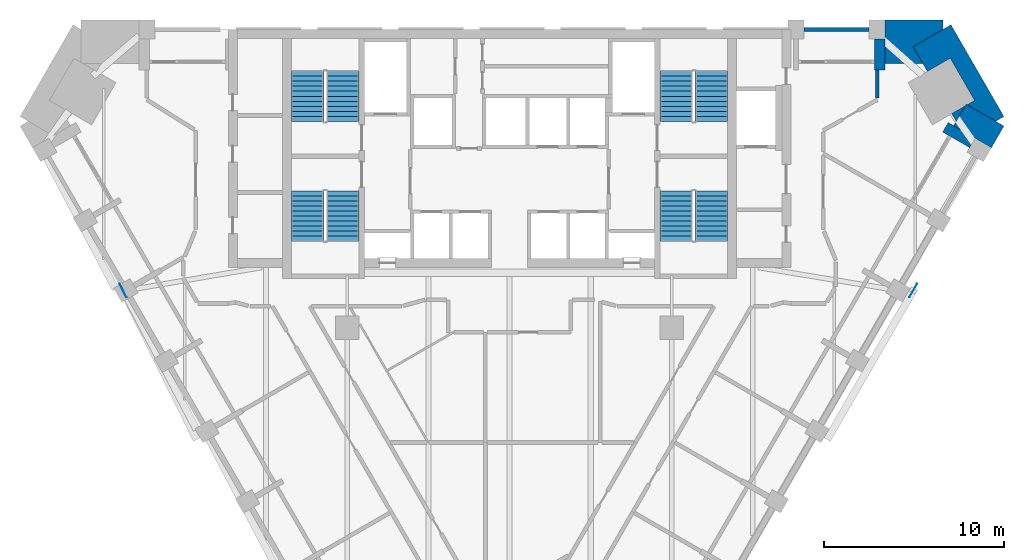
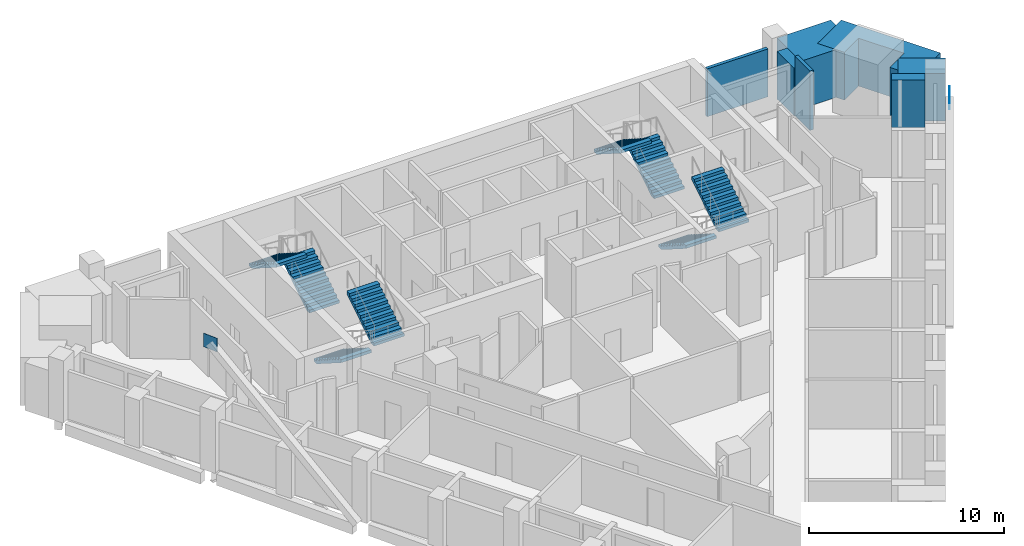
# One storey, part 8 of 9: 8 stair flights, 8 walls, 2 discrete accessories, 4 elements without a shape of their own.
"""IFC4 building model written with IfcOpenShell, lengths in metres."""

import ifcopenshell
import ifcopenshell.guid

model = None  # the IFC model being written
_history = None  # IfcOwnerHistory: only IFC2X3 demands one
_inside = {}  # id of a spatial element -> (the spatial element, [elements in it])
_under = {}  # id of a project, library or spatial element -> (it, [spatial elements below it])
_declared = {}  # id of a project -> (the project, [libraries it declares])
_typed = {}  # id of a type object -> (the type object, [elements of that type])
_made_of = {}  # id of a material, layer set ... -> (it, [elements and type objects made of it])


def new_model(schema):
    """Start an empty IFC model of exactly this schema.

    Asked for "IFC4X3", IfcOpenShell would pick the latest addendum, in which some entities
    have other attributes; the version numbers below select the first issue.
    IFC2X3 requires an IfcOwnerHistory on every rooted entity: one is made here for all.
    """
    global model, _history
    if schema == "IFC4X3":
        model = ifcopenshell.file(schema_version=(4, 3, 0, 0))
    else:
        model = ifcopenshell.file(schema=schema)
    _inside.clear()
    _under.clear()
    _declared.clear()
    _typed.clear()
    _made_of.clear()
    _history = None
    if model.schema == "IFC2X3":
        org = make("IfcOrganization", Name="unknown")
        user = make(
            "IfcPersonAndOrganization",
            ThePerson=make("IfcPerson", FamilyName="unknown"),
            TheOrganization=org,
        )
        app = make(
            "IfcApplication",
            ApplicationDeveloper=org,
            Version="unknown",
            ApplicationFullName="unknown",
            ApplicationIdentifier="unknown",
        )
        _history = make(
            "IfcOwnerHistory",
            OwningUser=user,
            OwningApplication=app,
            ChangeAction="ADDED",
            CreationDate=0,
        )
    return model


def make(cls, **values):
    """One entity of the class cls with the attributes given. An attribute that is None is left unset."""
    return model.create_entity(
        cls, **{name: value for name, value in values.items() if value is not None}
    )


def rooted(cls, **values):
    """An entity with a GlobalId (a new one), such as an element, a storey or a relation."""
    return make(cls, GlobalId=ifcopenshell.guid.new(), OwnerHistory=_history, **values)


def si_unit(unit_type, name, prefix=None):
    """IfcSIUnit, for example si_unit("LENGTHUNIT", "METRE", prefix="MILLI")."""
    return make("IfcSIUnit", UnitType=unit_type, Prefix=prefix, Name=name)


def assignment(units):
    """IfcUnitAssignment: the units of a project."""
    return None if units is None else make("IfcUnitAssignment", Units=units)


def point(xyz):
    """IfcCartesianPoint."""
    return None if xyz is None else make("IfcCartesianPoint", Coordinates=xyz)


def direction(xyz):
    """IfcDirection."""
    return None if xyz is None else make("IfcDirection", DirectionRatios=xyz)


def frame(location, z_axis=None, x_axis=None):
    """IfcAxis2Placement3D, a coordinate frame: its origin and axes. An axis left out is left unset."""
    return make(
        "IfcAxis2Placement3D",
        Location=point(location),
        Axis=direction(z_axis),
        RefDirection=direction(x_axis),
    )


def frame_2d(location, x_axis=None):
    """IfcAxis2Placement2D, a coordinate frame in the plane: its origin and x axis."""
    return make(
        "IfcAxis2Placement2D", Location=point(location), RefDirection=direction(x_axis)
    )


def origin():
    """The frame at (0, 0, 0) with its axes left unset."""
    return frame((0.0, 0.0, 0.0))


def origin_2d():
    """The frame at (0, 0) in the plane with its x axis left unset."""
    return frame_2d((0.0, 0.0))


def place(relative_to, where):
    """IfcLocalPlacement: puts the frame where relative to a parent placement (None: the world)."""
    return make(
        "IfcLocalPlacement", PlacementRelTo=relative_to, RelativePlacement=where
    )


def context(
    kind, dimensions, precision=None, world=None, true_north=None, identifier=None
):
    """IfcGeometricRepresentationContext, for example the 3D "Model" context."""
    return make(
        "IfcGeometricRepresentationContext",
        ContextIdentifier=identifier,
        ContextType=kind,
        CoordinateSpaceDimension=dimensions,
        Precision=precision,
        WorldCoordinateSystem=world,
        TrueNorth=true_north,
    )


def subcontext(parent, identifier, kind, view, scale=None):
    """IfcGeometricRepresentationSubContext, for example "Body" below "Model"."""
    return make(
        "IfcGeometricRepresentationSubContext",
        ContextIdentifier=identifier,
        ContextType=kind,
        ParentContext=parent,
        TargetScale=scale,
        TargetView=view,
    )


def project(units=None, contexts=None):
    """IfcProject with its units and contexts."""
    return rooted(
        "IfcProject",
        Name="project",
        RepresentationContexts=contexts,
        UnitsInContext=assignment(units),
    )


def spatial(cls, under=None, at=None, **own):
    """A site, building, storey or space (cls), placed at a placement, below another one or the project."""
    s = rooted(cls, ObjectPlacement=at, **own)
    if under is not None:
        _under.setdefault(under.id(), (under, []))[1].append(s)
    return s


def polyline(points):
    """IfcPolyline through the points."""
    return make("IfcPolyline", Points=[point(p) for p in points])


def profile(cls, at=None, kind="AREA", **sizes):
    """A parametric profile (cls). Its sizes go by their IFC names, for example OverallWidth=200.0."""
    return make(cls, ProfileType=kind, Position=at, **sizes)


def rectangle(**sizes):
    """IfcRectangleProfileDef."""
    return profile("IfcRectangleProfileDef", **sizes)


def outline(outer, holes=None, kind="AREA"):
    """IfcArbitraryClosedProfileDef: a profile drawn as a closed curve; with holes, ...WithVoids."""
    if holes is None:
        return make("IfcArbitraryClosedProfileDef", ProfileType=kind, OuterCurve=outer)
    return make(
        "IfcArbitraryProfileDefWithVoids",
        ProfileType=kind,
        OuterCurve=outer,
        InnerCurves=holes,
    )


def extrude(swept, where, along, depth):
    """IfcExtrudedAreaSolid: the profile swept, set in the frame where, extruded along a direction by depth."""
    return make(
        "IfcExtrudedAreaSolid",
        SweptArea=swept,
        Position=where,
        ExtrudedDirection=direction(along),
        Depth=depth,
    )


def faces_of(points, faces, orient=None, outer=None):
    """IfcFace entities. A face is a list of loops; a loop is a list of indices into points, from 0.

    orient and outer hold one flag for each loop. By default every Orientation is true, the
    first loop of a face is its IfcFaceOuterBound and the others are IfcFaceBound.
    """
    made = []
    for i, loops in enumerate(faces):
        bounds = []
        for j, loop in enumerate(loops):
            is_outer = j == 0 if outer is None else outer[i][j]
            bounds.append(
                make(
                    "IfcFaceOuterBound" if is_outer else "IfcFaceBound",
                    Bound=make("IfcPolyLoop", Polygon=[points[k] for k in loop]),
                    Orientation=True if orient is None else orient[i][j],
                )
            )
        made.append(make("IfcFace", Bounds=bounds))
    return made


def faceted_brep(points, faces, orient=None, outer=None, voids=None):
    """IfcFacetedBrep: a solid bounded by flat faces; with voids (closed shells), ...WithVoids."""
    shared = [point(p) for p in points]
    hull = make("IfcClosedShell", CfsFaces=faces_of(shared, faces, orient, outer))
    if voids is None:
        return make("IfcFacetedBrep", Outer=hull)
    return make(
        "IfcFacetedBrepWithVoids",
        Outer=hull,
        Voids=[
            make(cls, CfsFaces=faces_of(shared, fs, o, b)) for cls, fs, o, b in voids
        ],
    )


def shape(context_of_items, identifier, shape_type, items):
    """IfcShapeRepresentation: the items that make up one representation, for example the "Body"."""
    return make(
        "IfcShapeRepresentation",
        ContextOfItems=context_of_items,
        RepresentationIdentifier=identifier,
        RepresentationType=shape_type,
        Items=items,
    )


def source(mapping_origin, context_of_items, identifier, shape_type, items):
    """IfcRepresentationMap: a shape defined once, which mapped items show again and again."""
    return make(
        "IfcRepresentationMap",
        MappingOrigin=mapping_origin,
        MappedRepresentation=shape(context_of_items, identifier, shape_type, items),
    )


def transform(
    local_origin,
    x_axis=None,
    y_axis=None,
    z_axis=None,
    scale=None,
    scale2=None,
    scale3=None,
    uniform=True,
):
    """IfcCartesianTransformationOperator3D, or its non-uniform kind. x_axis, y_axis, z_axis: its Axis1, 2, 3."""
    if uniform:
        return make(
            "IfcCartesianTransformationOperator3D",
            Axis1=direction(x_axis),
            Axis2=direction(y_axis),
            LocalOrigin=point(local_origin),
            Scale=scale,
            Axis3=direction(z_axis),
        )
    return make(
        "IfcCartesianTransformationOperator3DnonUniform",
        Axis1=direction(x_axis),
        Axis2=direction(y_axis),
        LocalOrigin=point(local_origin),
        Scale=scale,
        Axis3=direction(z_axis),
        Scale2=scale2,
        Scale3=scale3,
    )


def mapped(mapping_source, mapping_target):
    """IfcMappedItem: shows the shape of a source again, moved by a transform."""
    return make(
        "IfcMappedItem", MappingSource=mapping_source, MappingTarget=mapping_target
    )


def material(Name=None, Category=None):
    """IfcMaterial."""
    return make("IfcMaterial", Name=Name, Category=Category)


def layer(
    of_material, thickness, ventilated=None, Name=None, Category=None, Priority=None
):
    """IfcMaterialLayer: one layer of a wall or slab, of a material (None: an air gap)."""
    return make(
        "IfcMaterialLayer",
        Material=of_material,
        LayerThickness=thickness,
        IsVentilated=ventilated,
        Name=Name,
        Category=Category,
        Priority=Priority,
    )


def layer_set(layers, Name=None):
    """IfcMaterialLayerSet."""
    return make("IfcMaterialLayerSet", MaterialLayers=layers, LayerSetName=Name)


def made_of(thing, what):
    """Note that an element or type object is made of a material, layer set ...; save() writes the relation."""
    if what is not None:
        _made_of.setdefault(what.id(), (what, []))[1].append(thing)
    return thing


def type_object(cls, material=None, **own):
    """A type object (cls), such as IfcWallType, which elements share."""
    return made_of(rooted(cls, **own), material)


def element(
    cls,
    number,
    at=None,
    inside=None,
    cuts=None,
    type_object=None,
    material=None,
    context=None,
    identifier="Body",
    shape_type=None,
    held_by="IfcProductDefinitionShape",
    body=None,
    shapes=None,
    **own,
):
    """One element of the class cls, such as IfcWall. Its Tag is "e" and its number.

    at: its placement. inside: the storey or other place that contains it. cuts: it is an
    opening in that element (IfcRelVoidsElement). A single representation is given by context,
    identifier, shape_type and body (its items); several are given by shapes. held_by: the class
    of the entity that holds the representations. save() writes the other relations.
    """
    e = rooted(cls, Tag="e%d" % number, ObjectPlacement=at, **own)
    if body is not None:
        shapes = [shape(context, identifier, shape_type, body)]
    if shapes is not None:
        e.Representation = make(held_by, Representations=shapes)
    if inside is not None:
        _inside.setdefault(inside.id(), (inside, []))[1].append(e)
    if cuts is not None:
        rooted(
            "IfcRelVoidsElement", RelatingBuildingElement=cuts, RelatedOpeningElement=e
        )
    if type_object is not None:
        _typed.setdefault(type_object.id(), (type_object, []))[1].append(e)
    return made_of(e, material)


def aggregate(whole, parts):
    """IfcRelAggregates: a whole, such as a stair, and the parts it consists of."""
    return rooted("IfcRelAggregates", RelatingObject=whole, RelatedObjects=parts)


def save(model, path):
    """Write the relations noted so far, then the file.

    IfcRelAggregates (storeys below a building ...), IfcRelContainedInSpatialStructure (elements
    in a storey), IfcRelDefinesByType, IfcRelAssociatesMaterial and IfcRelDeclares: one each for
    every whole, place, type object, material and project.
    """
    for whole, parts in _under.values():
        aggregate(whole, parts)
    for where, things in _inside.values():
        rooted(
            "IfcRelContainedInSpatialStructure",
            RelatedElements=things,
            RelatingStructure=where,
        )
    for kind, things in _typed.values():
        rooted("IfcRelDefinesByType", RelatedObjects=things, RelatingType=kind)
    for what, things in _made_of.values():
        rooted("IfcRelAssociatesMaterial", RelatedObjects=things, RelatingMaterial=what)
    for by, libraries in _declared.values():
        rooted("IfcRelDeclares", RelatingContext=by, RelatedDefinitions=libraries)
    model.write(path)


model = new_model("IFC4")

# Units and contexts
model_context = context("Model", 3, precision=1e-05, world=origin(), true_north=direction((0.0, 1.0)))
body_context = subcontext(model_context, "Body", "Model", "MODEL_VIEW")
ifc_project = project(units=[si_unit("LENGTHUNIT", "METRE"), si_unit("AREAUNIT", "SQUARE_METRE"), si_unit("VOLUMEUNIT", "CUBIC_METRE"), si_unit("PLANEANGLEUNIT", "RADIAN"), si_unit("MASSUNIT", "GRAM", prefix="KILO")], contexts=[model_context])

# Site, building, storey
site_placement = place(None, origin())
site = spatial("IfcSite", under=ifc_project, at=site_placement, CompositionType="ELEMENT")
building_placement = place(site_placement, origin())
building = spatial("IfcBuilding", under=site, at=building_placement, Name="Calabash Gate Tower", CompositionType="ELEMENT")
storey_placement = place(building_placement, frame((0.0, 0.0, 160.199951171875)))
storey = spatial("IfcBuildingStorey", under=building, at=storey_placement, Name="L37", CompositionType="ELEMENT", Elevation=160.199951171875)

# Walls
ifc_material_1 = material(Name="Terracotta brick masonry, exposed face", Category="masonry")
ifc_layer_1 = layer(ifc_material_1, 2.425048828125)
ifc_layer_set_1 = layer_set([ifc_layer_1], Name="Brick corner mass wall 2425")
wall_type_1 = type_object("IfcWallType", Name="Brick corner mass wall 2425", PredefinedType="SOLIDWALL", material=ifc_layer_set_1)
wall_1_placement = place(storey_placement, frame((27.079833984375, 13.097900390625, 0.0), z_axis=(0.0, 0.0, 1.0), x_axis=(-0.866041403502, 0.499972286653, 0.0)))
element("IfcWall", 1, at=wall_1_placement, inside=storey, type_object=wall_type_1, Name="Brick corner pier S10 3a", PredefinedType="SOLIDWALL", context=body_context, shape_type="SweptSolid", body=[
    extrude(rectangle(XDim=2.425048828125, YDim=1.383544921875, at=frame_2d((1.21240234375, 0.0))), origin(), (0.0, 0.0, 1.0), 3.0),
])
wall_2_placement = place(storey_placement, origin())
element("IfcWall", 2, at=wall_2_placement, inside=storey, type_object=wall_type_1, Name="Brick corner pier S10 3ba", PredefinedType="SOLIDWALL", context=body_context, shape_type="SweptSolid", body=[
    extrude(outline(polyline([(24.5302734375, 14.38671875), (24.777099609375, 13.95947265625), (25.2705078125, 14.814208984375), (24.5302734375, 14.38671875)])), origin(), (0.0, 0.0, 1.0), 3.0),
])
wall_3_placement = place(storey_placement, origin())
element("IfcWall", 3, at=wall_3_placement, inside=storey, type_object=wall_type_1, Name="Brick corner pier S10 3bb", PredefinedType="SOLIDWALL", context=body_context, shape_type="SweptSolid", body=[
    extrude(outline(polyline([(23.180419921875, 16.72509765625), (24.443115234375, 17.4541015625), (25.793212890625, 15.115966796875), (25.380615234375, 14.877685546875), (26.970947265625, 13.95947265625), (27.42578125, 14.221923828125), (24.485107421875, 19.31494140625), (22.385009765625, 18.1025390625), (23.180419921875, 16.72509765625)])), origin(), (0.0, 0.0, 1.0), 3.0),
])
wall_4_placement = place(storey_placement, origin())
element("IfcWall", 4, at=wall_4_placement, inside=storey, type_object=wall_type_1, Name="Brick corner pier S10 3c", PredefinedType="SOLIDWALL", context=body_context, shape_type="SweptSolid", body=[
    extrude(outline(polyline([(20.83740234375, 19.57763671875), (20.83740234375, 17.152587890625), (22.93359375, 17.152587890625), (22.385009765625, 18.1025390625), (24.030517578125, 19.052490234375), (24.030517578125, 19.57763671875), (20.83740234375, 19.57763671875)])), origin(), (0.0, 0.0, 1.0), 3.0),
])
ifc_material_2 = material(Name="Terracotta brick masonry, exposed face", Category="masonry")
ifc_layer_2 = layer(ifc_material_2, 0.300048828125)
ifc_layer_set_2 = layer_set([ifc_layer_2], Name="Brick loggia cheek wall 300")
wall_type_2 = type_object("IfcWallType", Name="Brick loggia cheek wall 300", PredefinedType="SOLIDWALL", material=ifc_layer_set_2)
wall_5_placement = place(storey_placement, frame((25.67431640625, 12.76416015625, 0.0), z_axis=(0.0, 0.0, 1.0), x_axis=(-0.866039436866, 0.499975693202, 0.0)))
element("IfcWall", 5, at=wall_5_placement, inside=storey, type_object=wall_type_2, Name="Loggia cheek S10 SE4.8", PredefinedType="SOLIDWALL", context=body_context, shape_type="SweptSolid", body=[
    extrude(rectangle(XDim=1.724609375, YDim=0.60009765625, at=frame_2d((0.8623046875, 0.0))), origin(), (0.0, 0.0, 1.0), 3.0),
])
wall_6_placement = place(storey_placement, origin())
element("IfcWall", 6, at=wall_6_placement, inside=storey, type_object=wall_type_2, Name="Loggia cheek S10 N6.0", PredefinedType="SOLIDWALL", context=body_context, shape_type="SweptSolid", body=[
    extrude(outline(polyline([(20.83740234375, 16.802490234375), (20.83740234375, 18.527587890625), (20.237548828125, 18.527587890625), (20.237548828125, 16.802490234375), (20.83740234375, 16.802490234375)])), origin(), (0.0, 0.0, 1.0), 3.0),
])
ifc_material_3 = material(Name="Gypsum board on steel studs, mineral wool", Category="steel")
ifc_layer_3 = layer(ifc_material_3, 0.199951171875)
ifc_layer_set_3 = layer_set([ifc_layer_3], Name="Partition 200 gypsum board EI 60")
wall_type_3 = type_object("IfcWallType", Name="Partition 200 gypsum board EI 60", PredefinedType="PARTITIONING", material=ifc_layer_set_3)
wall_7_placement = place(storey_placement, frame((20.3876953125, 15.252197265625, 0.0), z_axis=(0.0, 0.0, 1.0), x_axis=(0.000157480313, 0.9999999876, 0.0)))
element("IfcWall", 7, at=wall_7_placement, inside=storey, type_object=wall_type_3, Name="Partition", PredefinedType="PARTITIONING", context=body_context, shape_type="SweptSolid", body=[
    extrude(rectangle(XDim=1.55029296875, YDim=0.199951171875, at=frame_2d((0.775146484375, 0.0))), origin(), (0.0, 0.0, 1.0), 3.72998046875),
])
ifc_material_4 = material(Name="Terracotta brick masonry, perforated", Category="masonry")
ifc_layer_4 = layer(ifc_material_4, 0.199951171875)
ifc_layer_set_4 = layer_set([ifc_layer_4], Name="Terracotta jaali screen B")
wall_type_4 = type_object("IfcWallType", Name="Terracotta jaali screen B", PredefinedType="SOLIDWALL", material=ifc_layer_set_4)
wall_8_placement = place(storey_placement, frame((19.9375, 19.052490234375, 0.0), z_axis=(0.0, 0.0, 1.0), x_axis=(-1.0, 0.0, 0.0)))
element("IfcWall", 8, at=wall_8_placement, inside=storey, type_object=wall_type_4, Name="SCREEN B S10 N6.1", PredefinedType="SOLIDWALL", context=body_context, shape_type="SweptSolid", body=[
    extrude(rectangle(XDim=3.60009765625, YDim=0.199951171875, at=frame_2d((1.800048828125, 0.0))), origin(), (0.0, 0.0, 1.0), 3.0),
])

# Stair, stair flights
ifc_material_5 = material(Name="Concrete C40/50", Category="concrete")
stair_type = type_object("IfcStairType", Name="Exit stair 22 risers of 177.3 mm", PredefinedType="HALF_TURN_STAIR", material=ifc_material_5)
stair_1_placement = place(storey_placement, origin())
stair_1 = element("IfcStair", 9, at=stair_1_placement, inside=storey, type_object=stair_type, Name="L37 Exit stair ST1", PredefinedType="HALF_TURN_STAIR")
ifc_material_6 = material(Name="Concrete C40/50", Category="concrete")
stair_flight_type = type_object("IfcStairFlightType", Name="Exit stair flight SFL", PredefinedType="STRAIGHT", material=ifc_material_6)
shared_shape = source(origin(), body_context, "Body", "Brep", [
    faceted_brep([(-0.0009765625, -0.89990234375, 0.0), (0.279541015625, -0.89990234375, 0.0), (2.791015625, -0.89990234375, 1.59521484375), (-0.0009765625, 0.89990234375, 0.0), (2.791015625, 0.89990234375, 1.59521484375), (0.279541015625, 0.89990234375, 0.0), (2.791015625, -0.89990234375, 1.78466796875), (2.7900390625, -0.89990234375, 1.78466796875), (2.7900390625, 0.89990234375, 1.78466796875), (2.791015625, 0.89990234375, 1.78466796875), (2.7900390625, -0.89990234375, 1.772705078125), (2.7900390625, 0.89990234375, 1.772705078125), (2.510986328125, -0.89990234375, 1.772705078125), (2.510986328125, 0.89990234375, 1.772705078125), (2.510986328125, -0.89990234375, 1.595458984375), (2.510986328125, 0.89990234375, 1.595458984375), (2.23193359375, -0.89990234375, 1.595458984375), (2.23193359375, 0.89990234375, 1.595458984375), (2.23193359375, -0.89990234375, 1.418212890625), (2.23193359375, 0.89990234375, 1.418212890625), (1.952880859375, -0.89990234375, 1.418212890625), (1.952880859375, -0.89990234375, 1.240966796875), (1.952880859375, 0.89990234375, 1.240966796875), (1.952880859375, 0.89990234375, 1.418212890625), (1.674072265625, -0.89990234375, 1.240966796875), (1.674072265625, -0.89990234375, 1.063720703125), (1.674072265625, 0.89990234375, 1.063720703125), (1.674072265625, 0.89990234375, 1.240966796875), (1.39501953125, -0.89990234375, 1.063720703125), (1.39501953125, -0.89990234375, 0.886474609375), (1.39501953125, 0.89990234375, 0.886474609375), (1.39501953125, 0.89990234375, 1.063720703125), (1.115966796875, -0.89990234375, 0.886474609375), (1.115966796875, -0.89990234375, 0.708984375), (1.115966796875, 0.89990234375, 0.708984375), (1.115966796875, 0.89990234375, 0.886474609375), (0.8369140625, -0.89990234375, 0.708984375), (0.8369140625, -0.89990234375, 0.53173828125), (0.8369140625, 0.89990234375, 0.53173828125), (0.8369140625, 0.89990234375, 0.708984375), (0.55810546875, -0.89990234375, 0.53173828125), (0.55810546875, -0.89990234375, 0.3544921875), (0.55810546875, 0.89990234375, 0.3544921875), (0.55810546875, 0.89990234375, 0.53173828125), (0.279052734375, -0.89990234375, 0.3544921875), (0.279052734375, -0.89990234375, 0.17724609375), (0.279052734375, 0.89990234375, 0.17724609375), (0.279052734375, 0.89990234375, 0.3544921875), (-0.0009765625, -0.89990234375, 0.17724609375), (-0.0009765625, 0.89990234375, 0.17724609375), (0.279541015625, -0.360107421875, 0.0), (2.791015625, -0.360107421875, 1.59521484375), (0.279541015625, 0.0, 0.0), (2.791015625, 0.0, 1.59521484375), (0.279541015625, 0.360107421875, 0.0), (2.791015625, 0.360107421875, 1.59521484375), (2.791015625, -0.360107421875, 1.78466796875), (2.791015625, 0.0, 1.78466796875), (2.791015625, 0.360107421875, 1.78466796875), (2.7900390625, -0.360107421875, 1.78466796875), (2.7900390625, 0.0, 1.78466796875), (2.7900390625, 0.360107421875, 1.78466796875), (2.7900390625, -0.360107421875, 1.772705078125), (2.7900390625, 0.0, 1.772705078125), (2.7900390625, 0.360107421875, 1.772705078125), (2.510986328125, -0.360107421875, 1.772705078125), (2.510986328125, 0.0, 1.772705078125), (2.510986328125, 0.360107421875, 1.772705078125), (2.510986328125, -0.360107421875, 1.595458984375), (2.510986328125, 0.0, 1.595458984375), (2.510986328125, 0.360107421875, 1.595458984375), (2.23193359375, -0.360107421875, 1.595458984375), (2.23193359375, 0.0, 1.595458984375), (2.23193359375, 0.360107421875, 1.595458984375), (2.23193359375, -0.360107421875, 1.418212890625), (2.23193359375, 0.0, 1.418212890625), (2.23193359375, 0.360107421875, 1.418212890625), (1.952880859375, -0.360107421875, 1.418212890625), (1.952880859375, 0.0, 1.418212890625), (1.952880859375, 0.360107421875, 1.418212890625), (1.952880859375, -0.360107421875, 1.240966796875), (1.952880859375, 0.0, 1.240966796875), (1.952880859375, 0.360107421875, 1.240966796875), (1.674072265625, -0.360107421875, 1.240966796875), (1.674072265625, 0.0, 1.240966796875), (1.674072265625, 0.360107421875, 1.240966796875), (1.674072265625, -0.360107421875, 1.063720703125), (1.674072265625, 0.0, 1.063720703125), (1.674072265625, 0.360107421875, 1.063720703125), (1.39501953125, -0.360107421875, 1.063720703125), (1.39501953125, 0.0, 1.063720703125), (1.39501953125, 0.360107421875, 1.063720703125), (1.39501953125, -0.360107421875, 0.886474609375), (1.39501953125, 0.0, 0.886474609375), (1.39501953125, 0.360107421875, 0.886474609375), (1.115966796875, -0.360107421875, 0.886474609375), (1.115966796875, 0.0, 0.886474609375), (1.115966796875, 0.360107421875, 0.886474609375), (1.115966796875, -0.360107421875, 0.708984375), (1.115966796875, 0.0, 0.708984375), (1.115966796875, 0.360107421875, 0.708984375), (0.8369140625, -0.360107421875, 0.708984375), (0.8369140625, 0.0, 0.708984375), (0.8369140625, 0.360107421875, 0.708984375), (0.8369140625, -0.360107421875, 0.53173828125), (0.8369140625, 0.0, 0.53173828125), (0.8369140625, 0.360107421875, 0.53173828125), (0.55810546875, -0.360107421875, 0.53173828125), (0.55810546875, 0.0, 0.53173828125), (0.55810546875, 0.360107421875, 0.53173828125), (0.55810546875, -0.360107421875, 0.3544921875), (0.55810546875, 0.0, 0.3544921875), (0.55810546875, 0.360107421875, 0.3544921875), (0.279052734375, -0.360107421875, 0.3544921875), (0.279052734375, 0.0, 0.3544921875), (0.279052734375, 0.360107421875, 0.3544921875), (0.279052734375, -0.360107421875, 0.17724609375), (0.279052734375, 0.0, 0.17724609375), (0.279052734375, 0.360107421875, 0.17724609375), (-0.0009765625, -0.360107421875, 0.17724609375), (-0.0009765625, 0.0, 0.17724609375), (-0.0009765625, 0.360107421875, 0.17724609375), (-0.0009765625, -0.360107421875, 0.0), (-0.0009765625, 0.0, 0.0), (-0.0009765625, 0.360107421875, 0.0)], [[[0, 1, 2]], [[3, 4, 5]], [[2, 6, 7]], [[4, 8, 9]], [[2, 7, 10]], [[4, 11, 8]], [[2, 10, 12]], [[4, 13, 11]], [[2, 12, 14]], [[4, 15, 13]], [[2, 14, 16]], [[4, 17, 15]], [[2, 16, 18]], [[4, 19, 17]], [[18, 20, 21]], [[19, 22, 23]], [[2, 18, 21]], [[4, 22, 19]], [[21, 24, 25]], [[22, 26, 27]], [[2, 21, 25]], [[4, 26, 22]], [[25, 28, 29]], [[26, 30, 31]], [[2, 25, 29]], [[4, 30, 26]], [[29, 32, 33]], [[30, 34, 35]], [[2, 29, 33]], [[4, 34, 30]], [[33, 36, 37]], [[34, 38, 39]], [[2, 33, 37]], [[4, 38, 34]], [[37, 40, 41]], [[38, 42, 43]], [[2, 37, 41]], [[4, 42, 38]], [[41, 44, 45]], [[42, 46, 47]], [[2, 41, 45]], [[4, 46, 42]], [[0, 2, 45]], [[3, 46, 4]], [[45, 48, 0]], [[46, 3, 49]], [[1, 50, 2]], [[50, 51, 2]], [[50, 52, 51]], [[52, 53, 51]], [[52, 54, 55]], [[52, 55, 53]], [[54, 5, 4]], [[54, 4, 55]], [[2, 51, 6]], [[51, 56, 6]], [[51, 53, 56]], [[53, 57, 56]], [[53, 55, 58]], [[53, 58, 57]], [[55, 4, 9]], [[55, 9, 58]], [[6, 56, 7]], [[56, 59, 7]], [[56, 57, 59]], [[57, 60, 59]], [[57, 58, 61]], [[57, 61, 60]], [[58, 9, 8]], [[58, 8, 61]], [[7, 59, 10]], [[59, 62, 10]], [[59, 60, 62]], [[60, 63, 62]], [[60, 61, 64]], [[60, 64, 63]], [[61, 8, 11]], [[61, 11, 64]], [[10, 62, 12]], [[62, 65, 12]], [[62, 63, 65]], [[63, 66, 65]], [[63, 64, 67]], [[63, 67, 66]], [[64, 11, 13]], [[64, 13, 67]], [[12, 65, 14]], [[65, 68, 14]], [[65, 66, 68]], [[66, 69, 68]], [[66, 67, 70]], [[66, 70, 69]], [[67, 13, 15]], [[67, 15, 70]], [[14, 68, 16]], [[68, 71, 16]], [[68, 69, 71]], [[69, 72, 71]], [[69, 70, 73]], [[69, 73, 72]], [[70, 15, 17]], [[70, 17, 73]], [[16, 71, 18]], [[71, 74, 18]], [[71, 72, 74]], [[72, 75, 74]], [[72, 73, 76]], [[72, 76, 75]], [[73, 17, 19]], [[73, 19, 76]], [[18, 74, 20]], [[74, 77, 20]], [[74, 75, 77]], [[75, 78, 77]], [[75, 76, 79]], [[75, 79, 78]], [[76, 19, 23]], [[76, 23, 79]], [[20, 77, 21]], [[77, 80, 21]], [[77, 78, 80]], [[78, 81, 80]], [[78, 79, 82]], [[78, 82, 81]], [[79, 23, 22]], [[79, 22, 82]], [[21, 80, 24]], [[80, 83, 24]], [[80, 81, 83]], [[81, 84, 83]], [[81, 82, 85]], [[81, 85, 84]], [[82, 22, 27]], [[82, 27, 85]], [[24, 83, 25]], [[83, 86, 25]], [[83, 84, 86]], [[84, 87, 86]], [[84, 85, 88]], [[84, 88, 87]], [[85, 27, 26]], [[85, 26, 88]], [[25, 86, 28]], [[86, 89, 28]], [[86, 87, 89]], [[87, 90, 89]], [[87, 88, 91]], [[87, 91, 90]], [[88, 26, 31]], [[88, 31, 91]], [[28, 89, 29]], [[89, 92, 29]], [[89, 90, 92]], [[90, 93, 92]], [[90, 91, 94]], [[90, 94, 93]], [[91, 31, 30]], [[91, 30, 94]], [[29, 92, 32]], [[92, 95, 32]], [[92, 93, 95]], [[93, 96, 95]], [[93, 94, 97]], [[93, 97, 96]], [[94, 30, 35]], [[94, 35, 97]], [[32, 95, 33]], [[95, 98, 33]], [[95, 96, 98]], [[96, 99, 98]], [[96, 97, 100]], [[96, 100, 99]], [[97, 35, 34]], [[97, 34, 100]], [[33, 98, 36]], [[98, 101, 36]], [[98, 99, 101]], [[99, 102, 101]], [[99, 100, 103]], [[99, 103, 102]], [[100, 34, 39]], [[100, 39, 103]], [[36, 101, 37]], [[101, 104, 37]], [[101, 102, 104]], [[102, 105, 104]], [[102, 103, 106]], [[102, 106, 105]], [[103, 39, 38]], [[103, 38, 106]], [[37, 104, 40]], [[104, 107, 40]], [[104, 105, 107]], [[105, 108, 107]], [[105, 106, 109]], [[105, 109, 108]], [[106, 38, 43]], [[106, 43, 109]], [[40, 107, 41]], [[107, 110, 41]], [[107, 108, 110]], [[108, 111, 110]], [[108, 109, 112]], [[108, 112, 111]], [[109, 43, 42]], [[109, 42, 112]], [[41, 110, 44]], [[110, 113, 44]], [[110, 111, 113]], [[111, 114, 113]], [[111, 112, 115]], [[111, 115, 114]], [[112, 42, 47]], [[112, 47, 115]], [[44, 113, 45]], [[113, 116, 45]], [[113, 114, 116]], [[114, 117, 116]], [[114, 115, 118]], [[114, 118, 117]], [[115, 47, 46]], [[115, 46, 118]], [[45, 116, 48]], [[116, 119, 48]], [[116, 117, 119]], [[117, 120, 119]], [[117, 118, 121]], [[117, 121, 120]], [[118, 46, 49]], [[118, 49, 121]], [[48, 119, 0]], [[119, 122, 0]], [[119, 120, 122]], [[120, 123, 122]], [[120, 121, 124]], [[120, 124, 123]], [[121, 49, 3]], [[121, 3, 124]], [[0, 122, 1]], [[122, 50, 1]], [[122, 123, 50]], [[123, 52, 50]], [[123, 124, 54]], [[123, 54, 52]], [[124, 3, 5]], [[124, 5, 54]]]),
])
stair_flight_1_placement = place(storey_placement, frame((-9.25, 13.95263671875, 0.0), z_axis=(0.0, 0.0, 1.0), x_axis=(0.0, 1.0, 0.0)))
stair_flight_1 = element("IfcStairFlight", 10, at=stair_flight_1_placement, type_object=stair_flight_type, Name="ST1 flight 1", NumberOfRisers=11, NumberOfTreads=10, PredefinedType="STRAIGHT", RiserHeight=0.177272727, TreadLength=0.279, context=body_context, shape_type="MappedRepresentation", body=[
    mapped(shared_shape, transform((0.0, 0.0, 0.0), scale=1.0)),
])
stair_flight_2_placement = place(storey_placement, frame((-11.199951171875, 16.74267578125, 1.949951171875), z_axis=(0.0, 0.0, 1.0), x_axis=(0.0, -1.0, 0.0)))
stair_flight_2 = element("IfcStairFlight", 11, at=stair_flight_2_placement, type_object=stair_flight_type, Name="ST1 flight 2", NumberOfRisers=11, NumberOfTreads=10, PredefinedType="STRAIGHT", RiserHeight=0.177272727, TreadLength=0.279, context=body_context, shape_type="MappedRepresentation", body=[
    mapped(shared_shape, transform((0.0, 0.0, 0.0), scale=1.0)),
])
aggregate(stair_1, [stair_flight_1, stair_flight_2])

stair_2_placement = place(storey_placement, origin())
stair_2 = element("IfcStair", 12, at=stair_2_placement, inside=storey, type_object=stair_type, Name="L37 Exit stair ST2", PredefinedType="HALF_TURN_STAIR")
stair_flight_3_placement = place(storey_placement, frame((-11.199951171875, 10.1025390625, 0.0), z_axis=(0.0, 0.0, 1.0), x_axis=(0.0, -1.0, 0.0)))
stair_flight_3 = element("IfcStairFlight", 13, at=stair_flight_3_placement, type_object=stair_flight_type, Name="ST2 flight 1", NumberOfRisers=11, NumberOfTreads=10, PredefinedType="STRAIGHT", RiserHeight=0.177272727, TreadLength=0.279, context=body_context, shape_type="MappedRepresentation", body=[
    mapped(shared_shape, transform((0.0, 0.0, 0.0), scale=1.0)),
])
stair_flight_4_placement = place(storey_placement, frame((-9.25, 7.3125, 1.949951171875), z_axis=(0.0, 0.0, 1.0), x_axis=(0.0, 1.0, 0.0)))
stair_flight_4 = element("IfcStairFlight", 14, at=stair_flight_4_placement, type_object=stair_flight_type, Name="ST2 flight 2", NumberOfRisers=11, NumberOfTreads=10, PredefinedType="STRAIGHT", RiserHeight=0.177272727, TreadLength=0.279, context=body_context, shape_type="MappedRepresentation", body=[
    mapped(shared_shape, transform((0.0, 0.0, 0.0), scale=1.0)),
])
aggregate(stair_2, [stair_flight_3, stair_flight_4])

stair_3_placement = place(storey_placement, origin())
stair_3 = element("IfcStair", 15, at=stair_3_placement, inside=storey, type_object=stair_type, Name="L37 Exit stair ST3", PredefinedType="HALF_TURN_STAIR")
stair_flight_5_placement = place(storey_placement, frame((11.199951171875, 13.95263671875, 0.0), z_axis=(0.0, 0.0, 1.0), x_axis=(0.0, 1.0, 0.0)))
stair_flight_5 = element("IfcStairFlight", 16, at=stair_flight_5_placement, type_object=stair_flight_type, Name="ST3 flight 1", NumberOfRisers=11, NumberOfTreads=10, PredefinedType="STRAIGHT", RiserHeight=0.177272727, TreadLength=0.279, context=body_context, shape_type="MappedRepresentation", body=[
    mapped(shared_shape, transform((0.0, 0.0, 0.0), scale=1.0)),
])
stair_flight_6_placement = place(storey_placement, frame((9.25, 16.74267578125, 1.949951171875), z_axis=(0.0, 0.0, 1.0), x_axis=(0.0, -1.0, 0.0)))
stair_flight_6 = element("IfcStairFlight", 17, at=stair_flight_6_placement, type_object=stair_flight_type, Name="ST3 flight 2", NumberOfRisers=11, NumberOfTreads=10, PredefinedType="STRAIGHT", RiserHeight=0.177272727, TreadLength=0.279, context=body_context, shape_type="MappedRepresentation", body=[
    mapped(shared_shape, transform((0.0, 0.0, 0.0), scale=1.0)),
])
aggregate(stair_3, [stair_flight_5, stair_flight_6])

stair_4_placement = place(storey_placement, origin())
stair_4 = element("IfcStair", 18, at=stair_4_placement, inside=storey, type_object=stair_type, Name="L37 Exit stair ST4", PredefinedType="HALF_TURN_STAIR")
stair_flight_7_placement = place(storey_placement, frame((9.25, 10.1025390625, 0.0), z_axis=(0.0, 0.0, 1.0), x_axis=(0.0, -1.0, 0.0)))
stair_flight_7 = element("IfcStairFlight", 19, at=stair_flight_7_placement, type_object=stair_flight_type, Name="ST4 flight 1", NumberOfRisers=11, NumberOfTreads=10, PredefinedType="STRAIGHT", RiserHeight=0.177272727, TreadLength=0.279, context=body_context, shape_type="MappedRepresentation", body=[
    mapped(shared_shape, transform((0.0, 0.0, 0.0), scale=1.0)),
])
stair_flight_8_placement = place(storey_placement, frame((11.199951171875, 7.3125, 1.949951171875), z_axis=(0.0, 0.0, 1.0), x_axis=(0.0, 1.0, 0.0)))
stair_flight_8 = element("IfcStairFlight", 20, at=stair_flight_8_placement, type_object=stair_flight_type, Name="ST4 flight 2", NumberOfRisers=11, NumberOfTreads=10, PredefinedType="STRAIGHT", RiserHeight=0.177272727, TreadLength=0.279, context=body_context, shape_type="MappedRepresentation", body=[
    mapped(shared_shape, transform((0.0, 0.0, 0.0), scale=1.0)),
])
aggregate(stair_4, [stair_flight_7, stair_flight_8])

# Discrete accessories
ifc_material_7 = material(Name="Steel ASTM A572 Gr50", Category="steel")
discrete_accessory_type = type_object("IfcDiscreteAccessoryType", Name="Connection plate 25", PredefinedType="BRACKET", material=ifc_material_7)
for number, where, z_axis, x_axis, name in (
    (21, (-21.434326171875, 4.57470703125, 7.375), (0.0, 0.0, 1.0), (-0.442498057806, 0.896769462481, 0.0), "Connection plate Mega-brace SW Z3 22 end"),
    (22, (22.3935546875, 4.57470703125, 7.375), (0.0, 0.0, 1.0), (0.5, 0.866025403784, 0.0), "Connection plate Mega-brace SE Z3 26 end"),
):
    element("IfcDiscreteAccessory", number, at=place(storey_placement, frame(where, z_axis=z_axis, x_axis=x_axis)), inside=storey, type_object=discrete_accessory_type, Name=name, PredefinedType="BRACKET", context=body_context, shape_type="SweptSolid", body=[
        extrude(rectangle(XDim=0.850341796875, YDim=0.02490234375, at=origin_2d()), origin(), (0.0, 0.0, 1.0), 0.850341796875),
    ])

save(model, "model.ifc")
